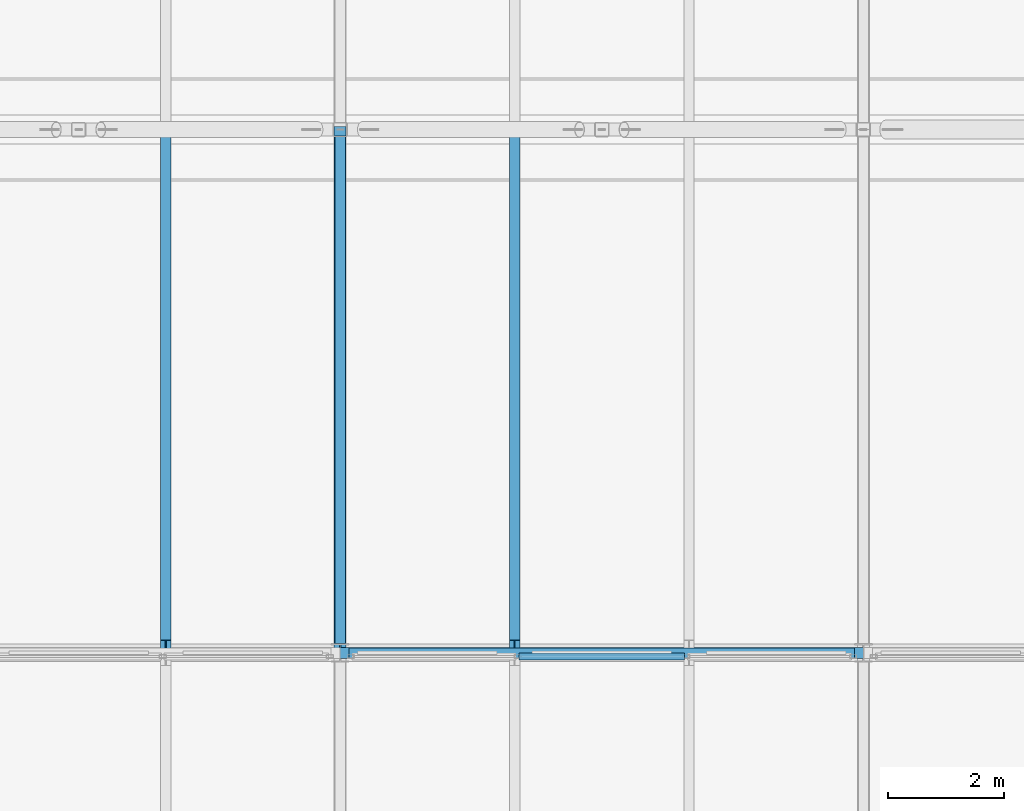
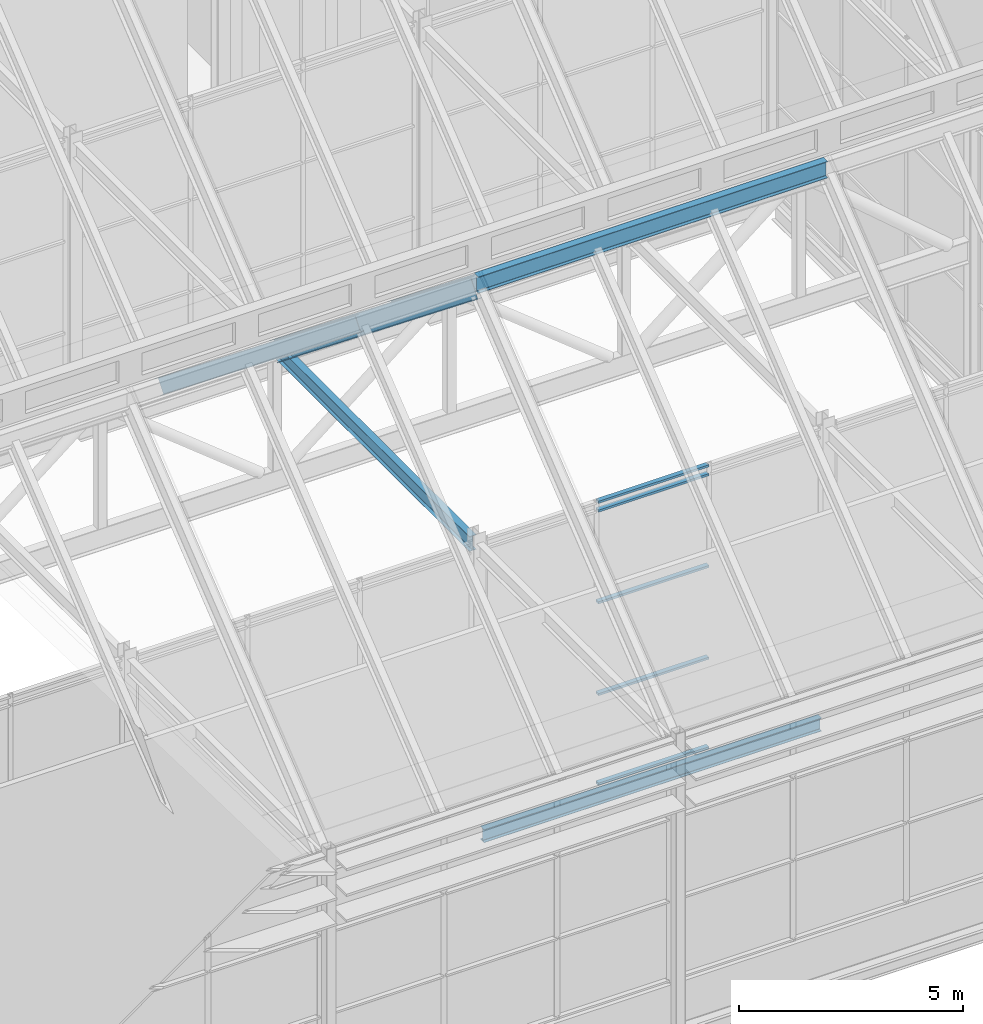
# One storey, part 56 of 144: 8 members, 3 beams, 1 element without a shape of its own.
"""IFC4 building model written with IfcOpenShell, lengths in metres."""

from ifc_helpers import new_model, si_unit, direction, frame, origin, origin_2d, place, context, subcontext, project, spatial, hollow_rectangle, i_section, extrude, material, layer, layer_set, material_profile, profile_set, type_object, element, aggregate, save


model = new_model("IFC4")

# Units and contexts
model_context = context("Model", 3, precision=1e-05, world=origin(), true_north=direction((0.0, 1.0)))
body_context = subcontext(model_context, "Body", "Model", "MODEL_VIEW")
ifc_project = project(units=[si_unit("LENGTHUNIT", "METRE"), si_unit("AREAUNIT", "SQUARE_METRE"), si_unit("VOLUMEUNIT", "CUBIC_METRE"), si_unit("PLANEANGLEUNIT", "RADIAN"), si_unit("MASSUNIT", "GRAM", prefix="KILO")], contexts=[model_context])

# Site, building, storey
site_placement = place(None, origin())
site = spatial("IfcSite", under=ifc_project, at=site_placement, CompositionType="ELEMENT")
building_placement = place(site_placement, origin())
building = spatial("IfcBuilding", under=site, at=building_placement, Name="Shorebreak Coast Museum", CompositionType="ELEMENT")
storey_placement = place(building_placement, frame((0.0, 0.0, 36.0)))
storey = spatial("IfcBuildingStorey", under=building, at=storey_placement, Name="L06", CompositionType="ELEMENT", Elevation=36.0)

# Beam
ifc_material_1 = material(Name="Steel Grade 300", Category="steel")
ifc_material_profile_1 = material_profile(ifc_material_1, i_section(OverallWidth=0.1708984375, OverallDepth=0.355712890625, WebThickness=0.00732421875, FlangeThickness=0.011474609375, FilletRadius=0.011474609375, at=origin_2d()), Name="360UB50.7")
ifc_profile_set_1 = profile_set([ifc_material_profile_1], Name="Steel Grade 300")
beam_type_1 = type_object("IfcBeamType", Name="Floor girder east-west 360UB50.7", PredefinedType="BEAM", material=ifc_profile_set_1)
beam_1_placement = place(storey_placement, frame((90.153564453125, 63.0, -0.352783203125), z_axis=(1.0, 0.0, 0.0), x_axis=(0.0, 1.0, 0.0)))
element("IfcBeam", 1, at=beam_1_placement, inside=storey, type_object=beam_type_1, Name="Floor girder east-west L06 11H", PredefinedType="BEAM", context=body_context, shape_type="SweptSolid", body=[
    extrude(i_section(OverallWidth=0.1708984375, OverallDepth=0.355712890625, WebThickness=0.00732421875, FlangeThickness=0.011474609375, FilletRadius=0.011474609375, at=origin_2d()), origin(), (0.0, 0.0, 1.0), 8.69287109375),
])

# Members
ifc_material_2 = material(Name="Steel Grade 300", Category="steel")
ifc_material_profile_2 = material_profile(ifc_material_2, i_section(OverallWidth=0.177978515625, OverallDepth=0.402587890625, WebThickness=0.007568359375, FlangeThickness=0.010986328125, FilletRadius=0.011474609375, at=origin_2d()), Name="410UB53.7")
ifc_profile_set_2 = profile_set([ifc_material_profile_2], Name="Steel Grade 300")
member_type_1 = type_object("IfcMemberType", Name="Fold rafter 410UB53.7", PredefinedType="RAFTER", material=ifc_profile_set_2)
for number, where, z_axis, x_axis, name in (
    (2, (87.0, 63.094970703125, 14.610107421875), (0.0, 0.780866693621, -0.624697692322), (-1.0, 0.0, 0.0), "Fold rafter FOLD-X line 2 12"),
    (3, (93.0, 63.094970703125, 14.610107421875), (0.0, 0.780866693621, -0.624697692322), (-1.0, 0.0, 0.0), "Fold rafter FOLD-X line 2 14"),
):
    element("IfcMember", number, at=place(storey_placement, frame(where, z_axis=z_axis, x_axis=x_axis)), inside=storey, type_object=member_type_1, Name=name, PredefinedType="RAFTER", context=body_context, shape_type="SweptSolid", body=[
        extrude(i_section(OverallWidth=0.177978515625, OverallDepth=0.402587890625, WebThickness=0.007568359375, FlangeThickness=0.010986328125, FilletRadius=0.011474609375, at=origin_2d()), origin(), (0.0, 0.0, 1.0), 11.25732421875),
    ])
ifc_material_3 = material(Name="Steel Grade 300", Category="steel")
ifc_material_profile_3 = material_profile(ifc_material_3, i_section(OverallWidth=0.208984375, OverallDepth=0.5283203125, WebThickness=0.009521484375, FlangeThickness=0.01318359375, FilletRadius=0.013916015625, at=origin_2d()), Name="530UB82.0")
ifc_profile_set_3 = profile_set([ifc_material_profile_3], Name="Steel Grade 300")
member_type_2 = type_object("IfcMemberType", Name="Fold rib rafter 530UB82.0", PredefinedType="RAFTER", material=ifc_profile_set_3)
member_1_placement = place(storey_placement, frame((90.0, 63.094970703125, 14.52978515625), z_axis=(0.0, 0.780866693621, -0.624697692322), x_axis=(-1.0, 0.0, 0.0)))
element("IfcMember", 4, at=member_1_placement, inside=storey, type_object=member_type_2, Name="Fold rib rafter FOLD-X line 2 13", PredefinedType="RAFTER", context=body_context, shape_type="SweptSolid", body=[
    extrude(i_section(OverallWidth=0.208984375, OverallDepth=0.5283203125, WebThickness=0.009521484375, FlangeThickness=0.01318359375, FilletRadius=0.013916015625, at=origin_2d()), origin(), (0.0, 0.0, 1.0), 11.25732421875),
])

# Beams
ifc_material_4 = material(Name="Steel Grade 300", Category="steel")
ifc_material_profile_4 = material_profile(ifc_material_4, i_section(OverallWidth=0.177978515625, OverallDepth=0.402587890625, WebThickness=0.007568359375, FlangeThickness=0.010986328125, FilletRadius=0.011474609375, at=origin_2d()), Name="410UB53.7")
ifc_profile_set_4 = profile_set([ifc_material_profile_4], Name="Steel Grade 300")
beam_type_2 = type_object("IfcBeamType", Name="Fold rib tie 410UB53.7", PredefinedType="BEAM", material=ifc_profile_set_4)
beam_2_placement = place(storey_placement, frame((90.0, 63.1572265625, 7.54248046875), z_axis=(0.0, 1.0, 0.0), x_axis=(-1.0, 0.0, 0.0)))
element("IfcBeam", 5, at=beam_2_placement, inside=storey, type_object=beam_type_2, Name="Fold rib tie FOLD-X rib 11 H-J", PredefinedType="BEAM", context=body_context, shape_type="SweptSolid", body=[
    extrude(i_section(OverallWidth=0.177978515625, OverallDepth=0.402587890625, WebThickness=0.007568359375, FlangeThickness=0.010986328125, FilletRadius=0.011474609375, at=origin_2d()), origin(), (0.0, 0.0, 1.0), 8.728271484375),
])
ifc_material_5 = material(Name="Steel Grade 300", Category="steel")
ifc_material_profile_5 = material_profile(ifc_material_5, i_section(OverallWidth=0.18994140625, OverallDepth=0.453857421875, WebThickness=0.008544921875, FlangeThickness=0.0126953125, FilletRadius=0.011474609375, at=origin_2d()), Name="460UB67.1")
ifc_profile_set_5 = profile_set([ifc_material_profile_5], Name="Steel Grade 300")
beam_type_3 = type_object("IfcBeamType", Name="Fold ridge beam 460UB67.1", PredefinedType="BEAM", material=ifc_profile_set_5)
beam_3_placement = place(storey_placement, frame((90.0, 63.0, 14.717041015625), z_axis=(1.0, 0.0, 0.0), x_axis=(0.0, 1.0, 0.0)))
element("IfcBeam", 6, at=beam_3_placement, inside=storey, type_object=beam_type_3, Name="Fold ridge beam FOLD-X line H bay 11H", PredefinedType="BEAM", context=body_context, shape_type="SweptSolid", body=[
    extrude(i_section(OverallWidth=0.18994140625, OverallDepth=0.453857421875, WebThickness=0.008544921875, FlangeThickness=0.0126953125, FilletRadius=0.011474609375, at=origin_2d()), origin(), (0.0, 0.0, 1.0), 9.0),
])

# Curtain wall, members
ifc_material_6 = material(Name="Aluminium", Category="aluminium")
ifc_layer = layer(ifc_material_6, 0.1201171875)
ifc_layer_set = layer_set([ifc_layer], Name="Aluminium")
curtain_wall_type = type_object("IfcCurtainWallType", Name="Atrium fire screen", PredefinedType="NOTDEFINED", material=ifc_layer_set)
curtain_wall_placement = place(storey_placement, origin())
curtain_wall = element("IfcCurtainWall", 7, at=curtain_wall_placement, inside=storey, type_object=curtain_wall_type, Name="Atrium screen L06 S 82", PredefinedType="NOTDEFINED")
ifc_material_7 = material(Name="Aluminium", Category="aluminium")
ifc_material_profile_6 = material_profile(ifc_material_7, hollow_rectangle(XDim=0.1201171875, YDim=0.06005859375, WallThickness=0.00341796875, at=origin_2d()), Name="AL 60x120 RHS")
ifc_profile_set_6 = profile_set([ifc_material_profile_6], Name="Aluminium")
member_type_3 = type_object("IfcMemberType", Name="Screen transom 120 x 50", PredefinedType="USERDEFINED", material=ifc_profile_set_6)
member_2_placement = place(storey_placement, frame((93.076171875, 62.93994140625, 0.06005859375), z_axis=(1.0, 0.0, 0.0), x_axis=(0.0, 1.0, 0.0)))
member_2 = element("IfcMember", 8, at=member_2_placement, type_object=member_type_3, Name="CW5 transom 2.1", ObjectType="TRANSOM", PredefinedType="USERDEFINED", context=body_context, shape_type="SweptSolid", body=[
    extrude(hollow_rectangle(XDim=0.1201171875, YDim=0.06005859375, WallThickness=0.00341796875, at=origin_2d()), origin(), (0.0, 0.0, 1.0), 2.84765625),
])
member_3_placement = place(storey_placement, frame((93.076171875, 62.93994140625, 2.5), z_axis=(1.0, 0.0, 0.0), x_axis=(0.0, 1.0, 0.0)))
member_3 = element("IfcMember", 9, at=member_3_placement, type_object=member_type_3, Name="CW5 transom 2.2", ObjectType="TRANSOM", PredefinedType="USERDEFINED", context=body_context, shape_type="SweptSolid", body=[
    extrude(hollow_rectangle(XDim=0.1201171875, YDim=0.06005859375, WallThickness=0.00341796875, at=origin_2d()), origin(), (0.0, 0.0, 1.0), 2.84765625),
])
member_4_placement = place(storey_placement, frame((93.076171875, 62.93994140625, 5.0), z_axis=(1.0, 0.0, 0.0), x_axis=(0.0, 1.0, 0.0)))
member_4 = element("IfcMember", 10, at=member_4_placement, type_object=member_type_3, Name="CW5 transom 2.3", ObjectType="TRANSOM", PredefinedType="USERDEFINED", context=body_context, shape_type="SweptSolid", body=[
    extrude(hollow_rectangle(XDim=0.1201171875, YDim=0.06005859375, WallThickness=0.00341796875, at=origin_2d()), origin(), (0.0, 0.0, 1.0), 2.84765625),
])
member_5_placement = place(storey_placement, frame((93.076171875, 62.93994140625, 7.5), z_axis=(1.0, 0.0, 0.0), x_axis=(0.0, 1.0, 0.0)))
member_5 = element("IfcMember", 11, at=member_5_placement, type_object=member_type_3, Name="CW5 transom 2.4", ObjectType="TRANSOM", PredefinedType="USERDEFINED", context=body_context, shape_type="SweptSolid", body=[
    extrude(hollow_rectangle(XDim=0.1201171875, YDim=0.06005859375, WallThickness=0.00341796875, at=origin_2d()), origin(), (0.0, 0.0, 1.0), 2.84765625),
])
member_6_placement = place(storey_placement, frame((93.076171875, 62.93994140625, 7.739990234375), z_axis=(1.0, 0.0, 0.0), x_axis=(0.0, 1.0, 0.0)))
member_6 = element("IfcMember", 12, at=member_6_placement, type_object=member_type_3, Name="CW5 transom 2.5", ObjectType="TRANSOM", PredefinedType="USERDEFINED", context=body_context, shape_type="SweptSolid", body=[
    extrude(hollow_rectangle(XDim=0.1201171875, YDim=0.06005859375, WallThickness=0.00341796875, at=origin_2d()), origin(), (0.0, 0.0, 1.0), 2.84765625),
])
aggregate(curtain_wall, [member_2, member_3, member_4, member_5, member_6])

save(model, "model.ifc")
